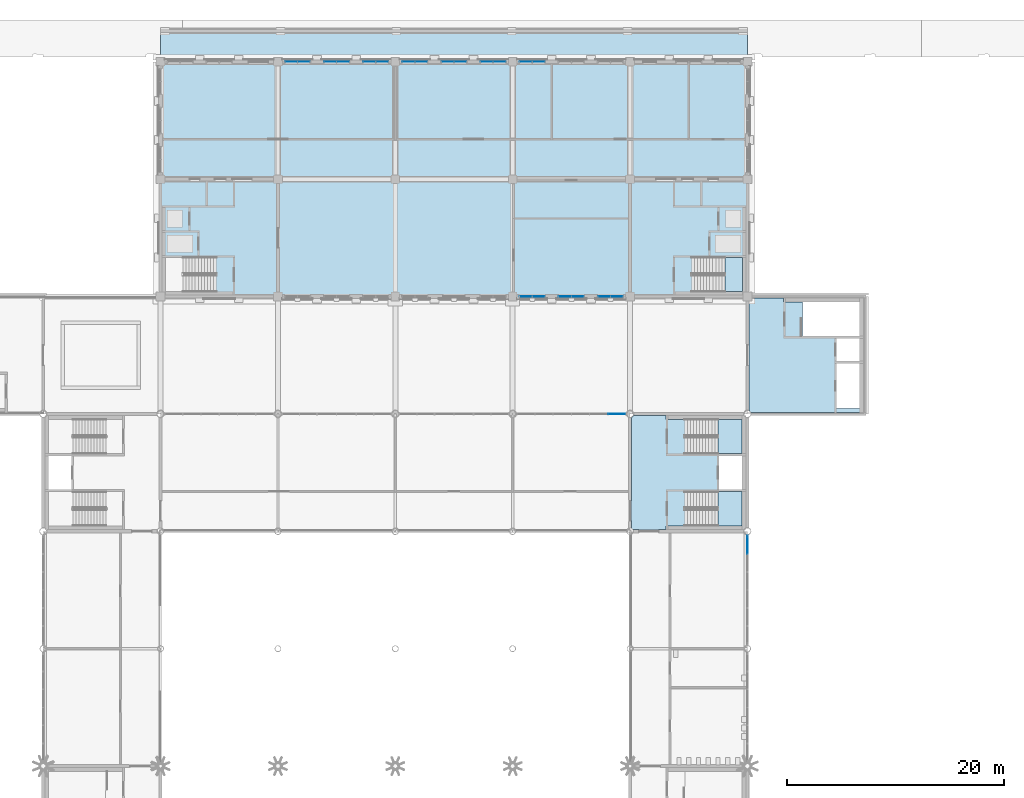
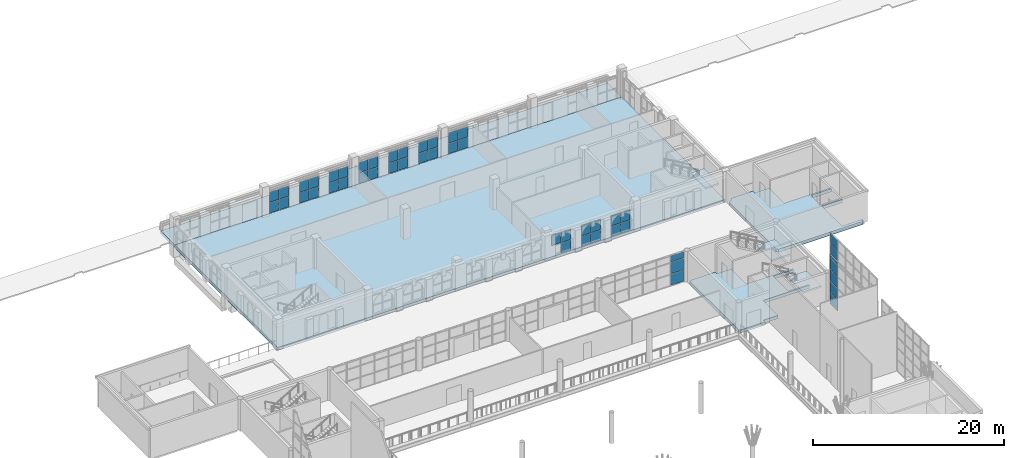
# One storey, part 52 of 95: 49 plates, 7 slabs, 16 elements without a shape of their own.
"""IFC4 building model written with IfcOpenShell, lengths in metres."""

from ifc_helpers import new_model, si_unit, direction, frame, origin, origin_2d, place, context, subcontext, project, spatial, polyline, rectangle, outline, extrude, material, layer, layer_set, type_object, element, aggregate, save


model = new_model("IFC4")

# Units and contexts
model_context = context("Model", 3, precision=1e-05, world=origin(), true_north=direction((0.0, 1.0)))
body_context = subcontext(model_context, "Body", "Model", "MODEL_VIEW")
ifc_project = project(units=[si_unit("LENGTHUNIT", "METRE"), si_unit("AREAUNIT", "SQUARE_METRE"), si_unit("VOLUMEUNIT", "CUBIC_METRE"), si_unit("PLANEANGLEUNIT", "RADIAN"), si_unit("MASSUNIT", "GRAM", prefix="KILO")], contexts=[model_context])

# Site, building, storey
site_placement = place(None, origin())
site = spatial("IfcSite", under=ifc_project, at=site_placement, CompositionType="ELEMENT")
building_placement = place(site_placement, origin())
building = spatial("IfcBuilding", under=site, at=building_placement, Name="Magnolia Steps Interchange", CompositionType="ELEMENT")
storey_placement = place(building_placement, frame((0.0, 0.0, 4.800048828125)))
storey = spatial("IfcBuildingStorey", under=building, at=storey_placement, Name="L01", CompositionType="ELEMENT", Elevation=4.800048828125)

# Slabs
ifc_material_1 = material(Name="Concrete C35", Category="concrete")
ifc_layer_1 = layer(ifc_material_1, 0.39990234375)
ifc_layer_set_1 = layer_set([ifc_layer_1], Name="Core floor slab 400")
slab_type_1 = type_object("IfcSlabType", Name="Core floor slab 400", PredefinedType="FLOOR", material=ifc_layer_set_1)
slab_1_placement = place(storey_placement, frame((0.0, 0.0, -0.400146484375)))
element("IfcSlab", 1, at=slab_1_placement, inside=storey, type_object=slab_type_1, Name="L01 core floor HC2", PredefinedType="FLOOR", context=body_context, shape_type="SweptSolid", body=[
    extrude(outline(polyline([(107.45361328125, 74.969482421875), (107.435791015625, 74.993408203125), (107.415771484375, 75.015625), (107.3935546875, 75.035888671875), (107.369384765625, 75.0537109375), (107.35009765625, 75.065185546875), (107.35009765625, 85.306396484375), (107.35546875, 85.30908203125), (107.38330078125, 85.32568359375), (107.409423828125, 85.344970703125), (107.433349609375, 85.36669921875), (107.455078125, 85.390625), (107.474365234375, 85.416748046875), (107.490966796875, 85.4443359375), (107.49365234375, 85.449951171875), (110.5, 85.449951171875), (110.5, 85.10009765625), (112.25, 85.10009765625), (112.25, 81.949951171875), (117.85009765625, 81.949951171875), (117.85009765625, 81.75), (115.39990234375, 81.75), (115.39990234375, 78.64990234375), (117.85009765625, 78.64990234375), (117.85009765625, 78.449951171875), (112.25, 78.449951171875), (112.25, 75.300048828125), (110.5, 75.300048828125), (110.5, 74.949951171875), (107.46533203125, 74.949951171875), (107.45361328125, 74.969482421875)])), origin(), (0.0, 0.0, 1.0), 0.400146484375),
])
slab_2_placement = place(storey_placement, frame((0.0, 0.0, -0.400146484375)))
element("IfcSlab", 2, at=slab_2_placement, inside=storey, type_object=slab_type_1, Name="L01 core floor WC-E", PredefinedType="FLOOR", context=body_context, shape_type="SweptSolid", body=[
    extrude(outline(polyline([(118.304931640625, 85.726318359375), (118.291015625, 85.755615234375), (118.2744140625, 85.783447265625), (118.255126953125, 85.809326171875), (118.2333984375, 85.833251953125), (118.209228515625, 85.85498046875), (118.183349609375, 85.874267578125), (118.155517578125, 85.89111328125), (118.126220703125, 85.90478515625), (118.125, 85.9052734375), (118.125, 95.76220703125), (118.126708984375, 95.762451171875), (118.188720703125, 95.778076171875), (118.248779296875, 95.799560546875), (118.306396484375, 95.826904296875), (118.361083984375, 95.859619140625), (118.412353515625, 95.8974609375), (118.459716796875, 95.9404296875), (118.50244140625, 95.987548828125), (118.54052734375, 96.038818359375), (118.5732421875, 96.093505859375), (118.6005859375, 96.1513671875), (118.6220703125, 96.211181640625), (118.637451171875, 96.273193359375), (118.6376953125, 96.27490234375), (121.300048828125, 96.27490234375), (121.300048828125, 95.89990234375), (123.050048828125, 95.89990234375), (123.050048828125, 92.75), (128.675048828125, 92.75), (128.675048828125, 92.550048828125), (126.199951171875, 92.550048828125), (126.199951171875, 90.449951171875), (128.675048828125, 90.449951171875), (128.675048828125, 90.25), (126.199951171875, 90.25), (126.199951171875, 86.10009765625), (128.675048828125, 86.10009765625), (128.675048828125, 85.89990234375), (128.5, 85.89990234375), (128.5, 85.72509765625), (118.305419921875, 85.72509765625), (118.304931640625, 85.726318359375)])), origin(), (0.0, 0.0, 1.0), 0.400146484375),
])

# Stair, slab
ifc_material_2 = material(Name="Concrete C40", Category="concrete")
stair_type = type_object("IfcStairType", Name="Exit stair 1500", PredefinedType="HALF_TURN_STAIR", material=ifc_material_2)
stair_1_placement = place(storey_placement, origin())
stair_1 = element("IfcStair", 3, at=stair_1_placement, inside=storey, type_object=stair_type, Name="L01 Stair 3", PredefinedType="HALF_TURN_STAIR")
ifc_material_3 = material(Name="Concrete C40", Category="concrete")
ifc_layer_2 = layer(ifc_material_3, 0.199951171875)
ifc_layer_set_2 = layer_set([ifc_layer_2], Name="Exit stair landing 200")
slab_type_2 = type_object("IfcSlabType", Name="Exit stair landing 200", PredefinedType="LANDING", material=ifc_layer_set_2)
slab_3_placement = place(storey_placement, frame((0.0, 0.0, 1.75)))
slab_3 = element("IfcSlab", 4, at=slab_3_placement, type_object=slab_type_2, Name="Stair 3 landing 1", PredefinedType="LANDING", context=body_context, shape_type="SweptSolid", body=[
    extrude(outline(polyline([(115.280029296875, 81.949951171875), (117.5, 81.949951171875), (117.5, 85.10009765625), (115.280029296875, 85.10009765625), (115.280029296875, 81.949951171875)])), origin(), (0.0, 0.0, 1.0), 0.199951171875),
])
aggregate(stair_1, [slab_3])

stair_2_placement = place(storey_placement, origin())
stair_2 = element("IfcStair", 5, at=stair_2_placement, inside=storey, type_object=stair_type, Name="L01 Stair 4", PredefinedType="HALF_TURN_STAIR")
slab_4_placement = place(storey_placement, frame((0.0, 0.0, 1.75)))
slab_4 = element("IfcSlab", 6, at=slab_4_placement, type_object=slab_type_2, Name="Stair 4 landing 1", PredefinedType="LANDING", context=body_context, shape_type="SweptSolid", body=[
    extrude(outline(polyline([(115.280029296875, 75.300048828125), (117.5, 75.300048828125), (117.5, 78.449951171875), (115.280029296875, 78.449951171875), (115.280029296875, 75.300048828125)])), origin(), (0.0, 0.0, 1.0), 0.199951171875),
])
aggregate(stair_2, [slab_4])

stair_3_placement = place(storey_placement, origin())
stair_3 = element("IfcStair", 7, at=stair_3_placement, inside=storey, type_object=stair_type, Name="L01 Stair 29", PredefinedType="HALF_TURN_STAIR")
slab_5_placement = place(storey_placement, frame((0.0, 0.0, 1.75)))
slab_5 = element("IfcSlab", 8, at=slab_5_placement, type_object=slab_type_2, Name="Stair 29 landing 1", PredefinedType="LANDING", context=body_context, shape_type="SweptSolid", body=[
    extrude(outline(polyline([(115.929931640625, 96.85009765625), (117.550048828125, 96.85009765625), (117.550048828125, 100.0), (115.929931640625, 100.0), (115.929931640625, 96.85009765625)])), origin(), (0.0, 0.0, 1.0), 0.199951171875),
])
aggregate(stair_3, [slab_5])

# Slab
ifc_material_4 = material(Name="Concrete C40", Category="concrete")
ifc_layer_3 = layer(ifc_material_4, 0.39990234375)
ifc_layer_set_3 = layer_set([ifc_layer_3], Name="Floor slab 400")
slab_type_3 = type_object("IfcSlabType", Name="Floor slab 400", PredefinedType="FLOOR", material=ifc_layer_set_3)
slab_6_placement = place(storey_placement, frame((0.0, 0.0, -0.400146484375)))
element("IfcSlab", 9, at=slab_6_placement, inside=storey, type_object=slab_type_3, Name="Operations ground floor", PredefinedType="FLOOR", context=body_context, shape_type="SweptSolid", body=[
    extrude(outline(polyline([(118.0, 96.39990234375), (118.0, 118.0), (64.0, 118.0), (64.0, 96.39990234375), (118.0, 96.39990234375)])), origin(), (0.0, 0.0, 1.0), 0.400146484375),
])

# Curtain wall, plates
ifc_material_5 = material(Name="Powder-coated aluminium and glass", Category="aluminium")
ifc_layer_4 = layer(ifc_material_5, 0.179931640625)
ifc_layer_set_4 = layer_set([ifc_layer_4], Name="Lobby shopfront curtain wall")
curtain_wall_type_1 = type_object("IfcCurtainWallType", Name="Lobby shopfront curtain wall", PredefinedType="NOTDEFINED", material=ifc_layer_set_4)
curtain_wall_1_placement = place(storey_placement, origin())
curtain_wall_1 = element("IfcCurtainWall", 10, at=curtain_wall_1_placement, inside=storey, type_object=curtain_wall_type_1, Name="Operations lobby south glazing 12", PredefinedType="NOTDEFINED")
ifc_material_6 = material(Name="Laminated glass", Category="glass")
ifc_layer_5 = layer(ifc_material_6, 0.028076171875)
ifc_layer_set_5 = layer_set([ifc_layer_5], Name="Glass panel 28")
plate_type = type_object("IfcPlateType", Name="Glass panel 28", PredefinedType="CURTAIN_PANEL", material=ifc_layer_set_5)
plate_1_placement = place(storey_placement, frame((97.614990234375, 96.39990234375, 1.429931640625), z_axis=(0.0, 0.0, 1.0), x_axis=(1.0, 0.0, 0.0)))
plate_1 = element("IfcPlate", 11, at=plate_1_placement, type_object=plate_type, Name="CW5 panel 1.2", PredefinedType="CURTAIN_PANEL", context=body_context, shape_type="SweptSolid", body=[
    extrude(rectangle(XDim=1.110107421875, YDim=0.028076171875, at=origin_2d()), origin(), (0.0, 0.0, 1.0), 1.31005859375),
])
plate_2_placement = place(storey_placement, frame((98.784912109375, 96.39990234375, 0.059814453125), z_axis=(0.0, 0.0, 1.0), x_axis=(1.0, 0.0, 0.0)))
plate_2 = element("IfcPlate", 12, at=plate_2_placement, type_object=plate_type, Name="CW5 panel 2.1", PredefinedType="CURTAIN_PANEL", context=body_context, shape_type="SweptSolid", body=[
    extrude(rectangle(XDim=1.110107421875, YDim=0.028076171875, at=origin_2d()), origin(), (0.0, 0.0, 1.0), 1.31005859375),
])
plate_3_placement = place(storey_placement, frame((98.784912109375, 96.39990234375, 1.429931640625), z_axis=(0.0, 0.0, 1.0), x_axis=(1.0, 0.0, 0.0)))
plate_3 = element("IfcPlate", 13, at=plate_3_placement, type_object=plate_type, Name="CW5 panel 2.2", PredefinedType="CURTAIN_PANEL", context=body_context, shape_type="SweptSolid", body=[
    extrude(rectangle(XDim=1.110107421875, YDim=0.028076171875, at=origin_2d()), origin(), (0.0, 0.0, 1.0), 1.31005859375),
])
aggregate(curtain_wall_1, [plate_1, plate_2, plate_3])

curtain_wall_2_placement = place(storey_placement, origin())
curtain_wall_2 = element("IfcCurtainWall", 14, at=curtain_wall_2_placement, inside=storey, type_object=curtain_wall_type_1, Name="Operations lobby south glazing 14", PredefinedType="NOTDEFINED")
plate_4_placement = place(storey_placement, frame((101.215087890625, 96.39990234375, 0.059814453125), z_axis=(0.0, 0.0, 1.0), x_axis=(1.0, 0.0, 0.0)))
plate_4 = element("IfcPlate", 15, at=plate_4_placement, type_object=plate_type, Name="CW5 panel 1.1", PredefinedType="CURTAIN_PANEL", context=body_context, shape_type="SweptSolid", body=[
    extrude(rectangle(XDim=1.110107421875, YDim=0.028076171875, at=origin_2d()), origin(), (0.0, 0.0, 1.0), 1.31005859375),
])
plate_5_placement = place(storey_placement, frame((101.215087890625, 96.39990234375, 1.429931640625), z_axis=(0.0, 0.0, 1.0), x_axis=(1.0, 0.0, 0.0)))
plate_5 = element("IfcPlate", 16, at=plate_5_placement, type_object=plate_type, Name="CW5 panel 1.2", PredefinedType="CURTAIN_PANEL", context=body_context, shape_type="SweptSolid", body=[
    extrude(rectangle(XDim=1.110107421875, YDim=0.028076171875, at=origin_2d()), origin(), (0.0, 0.0, 1.0), 1.31005859375),
])
plate_6_placement = place(storey_placement, frame((102.385009765625, 96.39990234375, 0.059814453125), z_axis=(0.0, 0.0, 1.0), x_axis=(1.0, 0.0, 0.0)))
plate_6 = element("IfcPlate", 17, at=plate_6_placement, type_object=plate_type, Name="CW5 panel 2.1", PredefinedType="CURTAIN_PANEL", context=body_context, shape_type="SweptSolid", body=[
    extrude(rectangle(XDim=1.110107421875, YDim=0.028076171875, at=origin_2d()), origin(), (0.0, 0.0, 1.0), 1.31005859375),
])
plate_7_placement = place(storey_placement, frame((102.385009765625, 96.39990234375, 1.429931640625), z_axis=(0.0, 0.0, 1.0), x_axis=(1.0, 0.0, 0.0)))
plate_7 = element("IfcPlate", 18, at=plate_7_placement, type_object=plate_type, Name="CW5 panel 2.2", PredefinedType="CURTAIN_PANEL", context=body_context, shape_type="SweptSolid", body=[
    extrude(rectangle(XDim=1.110107421875, YDim=0.028076171875, at=origin_2d()), origin(), (0.0, 0.0, 1.0), 1.31005859375),
])
aggregate(curtain_wall_2, [plate_4, plate_5, plate_6, plate_7])

curtain_wall_3_placement = place(storey_placement, origin())
curtain_wall_3 = element("IfcCurtainWall", 19, at=curtain_wall_3_placement, inside=storey, type_object=curtain_wall_type_1, Name="Operations lobby south glazing 16", PredefinedType="NOTDEFINED")
plate_8_placement = place(storey_placement, frame((104.81494140625, 96.39990234375, 0.059814453125), z_axis=(0.0, 0.0, 1.0), x_axis=(1.0, 0.0, 0.0)))
plate_8 = element("IfcPlate", 20, at=plate_8_placement, type_object=plate_type, Name="CW5 panel 1.1", PredefinedType="CURTAIN_PANEL", context=body_context, shape_type="SweptSolid", body=[
    extrude(rectangle(XDim=1.110107421875, YDim=0.028076171875, at=origin_2d()), origin(), (0.0, 0.0, 1.0), 1.31005859375),
])
plate_9_placement = place(storey_placement, frame((104.81494140625, 96.39990234375, 1.429931640625), z_axis=(0.0, 0.0, 1.0), x_axis=(1.0, 0.0, 0.0)))
plate_9 = element("IfcPlate", 21, at=plate_9_placement, type_object=plate_type, Name="CW5 panel 1.2", PredefinedType="CURTAIN_PANEL", context=body_context, shape_type="SweptSolid", body=[
    extrude(rectangle(XDim=1.110107421875, YDim=0.028076171875, at=origin_2d()), origin(), (0.0, 0.0, 1.0), 1.31005859375),
])
plate_10_placement = place(storey_placement, frame((105.985107421875, 96.39990234375, 0.059814453125), z_axis=(0.0, 0.0, 1.0), x_axis=(1.0, 0.0, 0.0)))
plate_10 = element("IfcPlate", 22, at=plate_10_placement, type_object=plate_type, Name="CW5 panel 2.1", PredefinedType="CURTAIN_PANEL", context=body_context, shape_type="SweptSolid", body=[
    extrude(rectangle(XDim=1.110107421875, YDim=0.028076171875, at=origin_2d()), origin(), (0.0, 0.0, 1.0), 1.31005859375),
])
plate_11_placement = place(storey_placement, frame((105.985107421875, 96.39990234375, 1.429931640625), z_axis=(0.0, 0.0, 1.0), x_axis=(1.0, 0.0, 0.0)))
plate_11 = element("IfcPlate", 23, at=plate_11_placement, type_object=plate_type, Name="CW5 panel 2.2", PredefinedType="CURTAIN_PANEL", context=body_context, shape_type="SweptSolid", body=[
    extrude(rectangle(XDim=1.110107421875, YDim=0.028076171875, at=origin_2d()), origin(), (0.0, 0.0, 1.0), 1.31005859375),
])
aggregate(curtain_wall_3, [plate_8, plate_9, plate_10, plate_11])

curtain_wall_4_placement = place(storey_placement, origin())
curtain_wall_4 = element("IfcCurtainWall", 24, at=curtain_wall_4_placement, inside=storey, type_object=curtain_wall_type_1, Name="Operations lobby north glazing 6", PredefinedType="NOTDEFINED")
plate_12_placement = place(storey_placement, frame((76.014892578125, 118.0, 0.059814453125), z_axis=(0.0, 0.0, 1.0), x_axis=(1.0, 0.0, 0.0)))
plate_12 = element("IfcPlate", 25, at=plate_12_placement, type_object=plate_type, Name="CW5 panel 1.1", PredefinedType="CURTAIN_PANEL", context=body_context, shape_type="SweptSolid", body=[
    extrude(rectangle(XDim=1.110107421875, YDim=0.028076171875, at=origin_2d()), origin(), (0.0, 0.0, 1.0), 1.31005859375),
])
plate_13_placement = place(storey_placement, frame((76.014892578125, 118.0, 1.429931640625), z_axis=(0.0, 0.0, 1.0), x_axis=(1.0, 0.0, 0.0)))
plate_13 = element("IfcPlate", 26, at=plate_13_placement, type_object=plate_type, Name="CW5 panel 1.2", PredefinedType="CURTAIN_PANEL", context=body_context, shape_type="SweptSolid", body=[
    extrude(rectangle(XDim=1.110107421875, YDim=0.028076171875, at=origin_2d()), origin(), (0.0, 0.0, 1.0), 1.31005859375),
])
plate_14_placement = place(storey_placement, frame((77.18505859375, 118.0, 0.059814453125), z_axis=(0.0, 0.0, 1.0), x_axis=(1.0, 0.0, 0.0)))
plate_14 = element("IfcPlate", 27, at=plate_14_placement, type_object=plate_type, Name="CW5 panel 2.1", PredefinedType="CURTAIN_PANEL", context=body_context, shape_type="SweptSolid", body=[
    extrude(rectangle(XDim=1.110107421875, YDim=0.028076171875, at=origin_2d()), origin(), (0.0, 0.0, 1.0), 1.31005859375),
])
plate_15_placement = place(storey_placement, frame((77.18505859375, 118.0, 1.429931640625), z_axis=(0.0, 0.0, 1.0), x_axis=(1.0, 0.0, 0.0)))
plate_15 = element("IfcPlate", 28, at=plate_15_placement, type_object=plate_type, Name="CW5 panel 2.2", PredefinedType="CURTAIN_PANEL", context=body_context, shape_type="SweptSolid", body=[
    extrude(rectangle(XDim=1.110107421875, YDim=0.028076171875, at=origin_2d()), origin(), (0.0, 0.0, 1.0), 1.31005859375),
])
aggregate(curtain_wall_4, [plate_12, plate_13, plate_14, plate_15])

curtain_wall_5_placement = place(storey_placement, origin())
curtain_wall_5 = element("IfcCurtainWall", 29, at=curtain_wall_5_placement, inside=storey, type_object=curtain_wall_type_1, Name="Operations lobby north glazing 8", PredefinedType="NOTDEFINED")
plate_16_placement = place(storey_placement, frame((79.614990234375, 118.0, 0.059814453125), z_axis=(0.0, 0.0, 1.0), x_axis=(1.0, 0.0, 0.0)))
plate_16 = element("IfcPlate", 30, at=plate_16_placement, type_object=plate_type, Name="CW5 panel 1.1", PredefinedType="CURTAIN_PANEL", context=body_context, shape_type="SweptSolid", body=[
    extrude(rectangle(XDim=1.110107421875, YDim=0.028076171875, at=origin_2d()), origin(), (0.0, 0.0, 1.0), 1.31005859375),
])
plate_17_placement = place(storey_placement, frame((79.614990234375, 118.0, 1.429931640625), z_axis=(0.0, 0.0, 1.0), x_axis=(1.0, 0.0, 0.0)))
plate_17 = element("IfcPlate", 31, at=plate_17_placement, type_object=plate_type, Name="CW5 panel 1.2", PredefinedType="CURTAIN_PANEL", context=body_context, shape_type="SweptSolid", body=[
    extrude(rectangle(XDim=1.110107421875, YDim=0.028076171875, at=origin_2d()), origin(), (0.0, 0.0, 1.0), 1.31005859375),
])
plate_18_placement = place(storey_placement, frame((80.784912109375, 118.0, 0.059814453125), z_axis=(0.0, 0.0, 1.0), x_axis=(1.0, 0.0, 0.0)))
plate_18 = element("IfcPlate", 32, at=plate_18_placement, type_object=plate_type, Name="CW5 panel 2.1", PredefinedType="CURTAIN_PANEL", context=body_context, shape_type="SweptSolid", body=[
    extrude(rectangle(XDim=1.110107421875, YDim=0.028076171875, at=origin_2d()), origin(), (0.0, 0.0, 1.0), 1.31005859375),
])
plate_19_placement = place(storey_placement, frame((80.784912109375, 118.0, 1.429931640625), z_axis=(0.0, 0.0, 1.0), x_axis=(1.0, 0.0, 0.0)))
plate_19 = element("IfcPlate", 33, at=plate_19_placement, type_object=plate_type, Name="CW5 panel 2.2", PredefinedType="CURTAIN_PANEL", context=body_context, shape_type="SweptSolid", body=[
    extrude(rectangle(XDim=1.110107421875, YDim=0.028076171875, at=origin_2d()), origin(), (0.0, 0.0, 1.0), 1.31005859375),
])
aggregate(curtain_wall_5, [plate_16, plate_17, plate_18, plate_19])

curtain_wall_6_placement = place(storey_placement, origin())
curtain_wall_6 = element("IfcCurtainWall", 34, at=curtain_wall_6_placement, inside=storey, type_object=curtain_wall_type_1, Name="Operations lobby north glazing 10", PredefinedType="NOTDEFINED")
plate_20_placement = place(storey_placement, frame((83.215087890625, 118.0, 0.059814453125), z_axis=(0.0, 0.0, 1.0), x_axis=(1.0, 0.0, 0.0)))
plate_20 = element("IfcPlate", 35, at=plate_20_placement, type_object=plate_type, Name="CW5 panel 1.1", PredefinedType="CURTAIN_PANEL", context=body_context, shape_type="SweptSolid", body=[
    extrude(rectangle(XDim=1.110107421875, YDim=0.028076171875, at=origin_2d()), origin(), (0.0, 0.0, 1.0), 1.31005859375),
])
plate_21_placement = place(storey_placement, frame((83.215087890625, 118.0, 1.429931640625), z_axis=(0.0, 0.0, 1.0), x_axis=(1.0, 0.0, 0.0)))
plate_21 = element("IfcPlate", 36, at=plate_21_placement, type_object=plate_type, Name="CW5 panel 1.2", PredefinedType="CURTAIN_PANEL", context=body_context, shape_type="SweptSolid", body=[
    extrude(rectangle(XDim=1.110107421875, YDim=0.028076171875, at=origin_2d()), origin(), (0.0, 0.0, 1.0), 1.31005859375),
])
plate_22_placement = place(storey_placement, frame((84.385009765625, 118.0, 0.059814453125), z_axis=(0.0, 0.0, 1.0), x_axis=(1.0, 0.0, 0.0)))
plate_22 = element("IfcPlate", 37, at=plate_22_placement, type_object=plate_type, Name="CW5 panel 2.1", PredefinedType="CURTAIN_PANEL", context=body_context, shape_type="SweptSolid", body=[
    extrude(rectangle(XDim=1.110107421875, YDim=0.028076171875, at=origin_2d()), origin(), (0.0, 0.0, 1.0), 1.31005859375),
])
plate_23_placement = place(storey_placement, frame((84.385009765625, 118.0, 1.429931640625), z_axis=(0.0, 0.0, 1.0), x_axis=(1.0, 0.0, 0.0)))
plate_23 = element("IfcPlate", 38, at=plate_23_placement, type_object=plate_type, Name="CW5 panel 2.2", PredefinedType="CURTAIN_PANEL", context=body_context, shape_type="SweptSolid", body=[
    extrude(rectangle(XDim=1.110107421875, YDim=0.028076171875, at=origin_2d()), origin(), (0.0, 0.0, 1.0), 1.31005859375),
])
aggregate(curtain_wall_6, [plate_20, plate_21, plate_22, plate_23])

curtain_wall_7_placement = place(storey_placement, origin())
curtain_wall_7 = element("IfcCurtainWall", 39, at=curtain_wall_7_placement, inside=storey, type_object=curtain_wall_type_1, Name="Operations lobby north glazing 12", PredefinedType="NOTDEFINED")
plate_24_placement = place(storey_placement, frame((86.81494140625, 118.0, 0.059814453125), z_axis=(0.0, 0.0, 1.0), x_axis=(1.0, 0.0, 0.0)))
plate_24 = element("IfcPlate", 40, at=plate_24_placement, type_object=plate_type, Name="CW5 panel 1.1", PredefinedType="CURTAIN_PANEL", context=body_context, shape_type="SweptSolid", body=[
    extrude(rectangle(XDim=1.110107421875, YDim=0.028076171875, at=origin_2d()), origin(), (0.0, 0.0, 1.0), 1.31005859375),
])
plate_25_placement = place(storey_placement, frame((86.81494140625, 118.0, 1.429931640625), z_axis=(0.0, 0.0, 1.0), x_axis=(1.0, 0.0, 0.0)))
plate_25 = element("IfcPlate", 41, at=plate_25_placement, type_object=plate_type, Name="CW5 panel 1.2", PredefinedType="CURTAIN_PANEL", context=body_context, shape_type="SweptSolid", body=[
    extrude(rectangle(XDim=1.110107421875, YDim=0.028076171875, at=origin_2d()), origin(), (0.0, 0.0, 1.0), 1.31005859375),
])
plate_26_placement = place(storey_placement, frame((87.985107421875, 118.0, 0.059814453125), z_axis=(0.0, 0.0, 1.0), x_axis=(1.0, 0.0, 0.0)))
plate_26 = element("IfcPlate", 42, at=plate_26_placement, type_object=plate_type, Name="CW5 panel 2.1", PredefinedType="CURTAIN_PANEL", context=body_context, shape_type="SweptSolid", body=[
    extrude(rectangle(XDim=1.110107421875, YDim=0.028076171875, at=origin_2d()), origin(), (0.0, 0.0, 1.0), 1.31005859375),
])
plate_27_placement = place(storey_placement, frame((87.985107421875, 118.0, 1.429931640625), z_axis=(0.0, 0.0, 1.0), x_axis=(1.0, 0.0, 0.0)))
plate_27 = element("IfcPlate", 43, at=plate_27_placement, type_object=plate_type, Name="CW5 panel 2.2", PredefinedType="CURTAIN_PANEL", context=body_context, shape_type="SweptSolid", body=[
    extrude(rectangle(XDim=1.110107421875, YDim=0.028076171875, at=origin_2d()), origin(), (0.0, 0.0, 1.0), 1.31005859375),
])
aggregate(curtain_wall_7, [plate_24, plate_25, plate_26, plate_27])

curtain_wall_8_placement = place(storey_placement, origin())
curtain_wall_8 = element("IfcCurtainWall", 44, at=curtain_wall_8_placement, inside=storey, type_object=curtain_wall_type_1, Name="Operations lobby north glazing 14", PredefinedType="NOTDEFINED")
plate_28_placement = place(storey_placement, frame((90.4150390625, 118.0, 0.059814453125), z_axis=(0.0, 0.0, 1.0), x_axis=(1.0, 0.0, 0.0)))
plate_28 = element("IfcPlate", 45, at=plate_28_placement, type_object=plate_type, Name="CW5 panel 1.1", PredefinedType="CURTAIN_PANEL", context=body_context, shape_type="SweptSolid", body=[
    extrude(rectangle(XDim=1.110107421875, YDim=0.028076171875, at=origin_2d()), origin(), (0.0, 0.0, 1.0), 1.31005859375),
])
plate_29_placement = place(storey_placement, frame((90.4150390625, 118.0, 1.429931640625), z_axis=(0.0, 0.0, 1.0), x_axis=(1.0, 0.0, 0.0)))
plate_29 = element("IfcPlate", 46, at=plate_29_placement, type_object=plate_type, Name="CW5 panel 1.2", PredefinedType="CURTAIN_PANEL", context=body_context, shape_type="SweptSolid", body=[
    extrude(rectangle(XDim=1.110107421875, YDim=0.028076171875, at=origin_2d()), origin(), (0.0, 0.0, 1.0), 1.31005859375),
])
plate_30_placement = place(storey_placement, frame((91.5849609375, 118.0, 0.059814453125), z_axis=(0.0, 0.0, 1.0), x_axis=(1.0, 0.0, 0.0)))
plate_30 = element("IfcPlate", 47, at=plate_30_placement, type_object=plate_type, Name="CW5 panel 2.1", PredefinedType="CURTAIN_PANEL", context=body_context, shape_type="SweptSolid", body=[
    extrude(rectangle(XDim=1.110107421875, YDim=0.028076171875, at=origin_2d()), origin(), (0.0, 0.0, 1.0), 1.31005859375),
])
plate_31_placement = place(storey_placement, frame((91.5849609375, 118.0, 1.429931640625), z_axis=(0.0, 0.0, 1.0), x_axis=(1.0, 0.0, 0.0)))
plate_31 = element("IfcPlate", 48, at=plate_31_placement, type_object=plate_type, Name="CW5 panel 2.2", PredefinedType="CURTAIN_PANEL", context=body_context, shape_type="SweptSolid", body=[
    extrude(rectangle(XDim=1.110107421875, YDim=0.028076171875, at=origin_2d()), origin(), (0.0, 0.0, 1.0), 1.31005859375),
])
aggregate(curtain_wall_8, [plate_28, plate_29, plate_30, plate_31])

curtain_wall_9_placement = place(storey_placement, origin())
curtain_wall_9 = element("IfcCurtainWall", 49, at=curtain_wall_9_placement, inside=storey, type_object=curtain_wall_type_1, Name="Operations lobby north glazing 16", PredefinedType="NOTDEFINED")
plate_32_placement = place(storey_placement, frame((94.014892578125, 118.0, 0.059814453125), z_axis=(0.0, 0.0, 1.0), x_axis=(1.0, 0.0, 0.0)))
plate_32 = element("IfcPlate", 50, at=plate_32_placement, type_object=plate_type, Name="CW5 panel 1.1", PredefinedType="CURTAIN_PANEL", context=body_context, shape_type="SweptSolid", body=[
    extrude(rectangle(XDim=1.110107421875, YDim=0.028076171875, at=origin_2d()), origin(), (0.0, 0.0, 1.0), 1.31005859375),
])
plate_33_placement = place(storey_placement, frame((94.014892578125, 118.0, 1.429931640625), z_axis=(0.0, 0.0, 1.0), x_axis=(1.0, 0.0, 0.0)))
plate_33 = element("IfcPlate", 51, at=plate_33_placement, type_object=plate_type, Name="CW5 panel 1.2", PredefinedType="CURTAIN_PANEL", context=body_context, shape_type="SweptSolid", body=[
    extrude(rectangle(XDim=1.110107421875, YDim=0.028076171875, at=origin_2d()), origin(), (0.0, 0.0, 1.0), 1.31005859375),
])
plate_34_placement = place(storey_placement, frame((95.18505859375, 118.0, 0.059814453125), z_axis=(0.0, 0.0, 1.0), x_axis=(1.0, 0.0, 0.0)))
plate_34 = element("IfcPlate", 52, at=plate_34_placement, type_object=plate_type, Name="CW5 panel 2.1", PredefinedType="CURTAIN_PANEL", context=body_context, shape_type="SweptSolid", body=[
    extrude(rectangle(XDim=1.110107421875, YDim=0.028076171875, at=origin_2d()), origin(), (0.0, 0.0, 1.0), 1.31005859375),
])
plate_35_placement = place(storey_placement, frame((95.18505859375, 118.0, 1.429931640625), z_axis=(0.0, 0.0, 1.0), x_axis=(1.0, 0.0, 0.0)))
plate_35 = element("IfcPlate", 53, at=plate_35_placement, type_object=plate_type, Name="CW5 panel 2.2", PredefinedType="CURTAIN_PANEL", context=body_context, shape_type="SweptSolid", body=[
    extrude(rectangle(XDim=1.110107421875, YDim=0.028076171875, at=origin_2d()), origin(), (0.0, 0.0, 1.0), 1.31005859375),
])
aggregate(curtain_wall_9, [plate_32, plate_33, plate_34, plate_35])

curtain_wall_10_placement = place(storey_placement, origin())
curtain_wall_10 = element("IfcCurtainWall", 54, at=curtain_wall_10_placement, inside=storey, type_object=curtain_wall_type_1, Name="Operations lobby north glazing 18", PredefinedType="NOTDEFINED")
plate_36_placement = place(storey_placement, frame((97.614990234375, 118.0, 0.059814453125), z_axis=(0.0, 0.0, 1.0), x_axis=(1.0, 0.0, 0.0)))
plate_36 = element("IfcPlate", 55, at=plate_36_placement, type_object=plate_type, Name="CW5 panel 1.1", PredefinedType="CURTAIN_PANEL", context=body_context, shape_type="SweptSolid", body=[
    extrude(rectangle(XDim=1.110107421875, YDim=0.028076171875, at=origin_2d()), origin(), (0.0, 0.0, 1.0), 1.31005859375),
])
plate_37_placement = place(storey_placement, frame((97.614990234375, 118.0, 1.429931640625), z_axis=(0.0, 0.0, 1.0), x_axis=(1.0, 0.0, 0.0)))
plate_37 = element("IfcPlate", 56, at=plate_37_placement, type_object=plate_type, Name="CW5 panel 1.2", PredefinedType="CURTAIN_PANEL", context=body_context, shape_type="SweptSolid", body=[
    extrude(rectangle(XDim=1.110107421875, YDim=0.028076171875, at=origin_2d()), origin(), (0.0, 0.0, 1.0), 1.31005859375),
])
plate_38_placement = place(storey_placement, frame((98.784912109375, 118.0, 0.059814453125), z_axis=(0.0, 0.0, 1.0), x_axis=(1.0, 0.0, 0.0)))
plate_38 = element("IfcPlate", 57, at=plate_38_placement, type_object=plate_type, Name="CW5 panel 2.1", PredefinedType="CURTAIN_PANEL", context=body_context, shape_type="SweptSolid", body=[
    extrude(rectangle(XDim=1.110107421875, YDim=0.028076171875, at=origin_2d()), origin(), (0.0, 0.0, 1.0), 1.31005859375),
])
plate_39_placement = place(storey_placement, frame((98.784912109375, 118.0, 1.429931640625), z_axis=(0.0, 0.0, 1.0), x_axis=(1.0, 0.0, 0.0)))
plate_39 = element("IfcPlate", 58, at=plate_39_placement, type_object=plate_type, Name="CW5 panel 2.2", PredefinedType="CURTAIN_PANEL", context=body_context, shape_type="SweptSolid", body=[
    extrude(rectangle(XDim=1.110107421875, YDim=0.028076171875, at=origin_2d()), origin(), (0.0, 0.0, 1.0), 1.31005859375),
])
aggregate(curtain_wall_10, [plate_36, plate_37, plate_38, plate_39])

ifc_material_7 = material(Name="Powder-coated aluminium and glass", Category="aluminium")
ifc_layer_6 = layer(ifc_material_7, 0.14990234375)
ifc_layer_set_6 = layer_set([ifc_layer_6], Name="Glazed hall curtain wall")
curtain_wall_type_2 = type_object("IfcCurtainWallType", Name="Glazed hall curtain wall", PredefinedType="NOTDEFINED", material=ifc_layer_set_6)
curtain_wall_11_placement = place(storey_placement, origin())
curtain_wall_11 = element("IfcCurtainWall", 59, at=curtain_wall_11_placement, inside=storey, type_object=curtain_wall_type_2, Name="Hall glazing N5 L01", PredefinedType="NOTDEFINED")
plate_40_placement = place(storey_placement, frame((105.985107421875, 85.60009765625, 0.06005859375), z_axis=(0.0, 0.0, 1.0), x_axis=(1.0, 0.0, 0.0)))
plate_40 = element("IfcPlate", 60, at=plate_40_placement, type_object=plate_type, Name="CW1 panel 6.1", PredefinedType="CURTAIN_PANEL", context=body_context, shape_type="SweptSolid", body=[
    extrude(rectangle(XDim=1.590087890625, YDim=0.028076171875, at=origin_2d()), origin(), (0.0, 0.0, 1.0), 1.409912109375),
])
plate_41_placement = place(storey_placement, frame((105.985107421875, 85.60009765625, 1.530029296875), z_axis=(0.0, 0.0, 1.0), x_axis=(1.0, 0.0, 0.0)))
plate_41 = element("IfcPlate", 61, at=plate_41_placement, type_object=plate_type, Name="CW1 panel 6.2", PredefinedType="CURTAIN_PANEL", context=body_context, shape_type="SweptSolid", body=[
    extrude(rectangle(XDim=1.590087890625, YDim=0.028076171875, at=origin_2d()), origin(), (0.0, 0.0, 1.0), 1.43994140625),
])
plate_42_placement = place(storey_placement, frame((105.985107421875, 85.60009765625, 3.030029296875), z_axis=(0.0, 0.0, 1.0), x_axis=(1.0, 0.0, 0.0)))
plate_42 = element("IfcPlate", 62, at=plate_42_placement, type_object=plate_type, Name="CW1 panel 6.3", PredefinedType="CURTAIN_PANEL", context=body_context, shape_type="SweptSolid", body=[
    extrude(rectangle(XDim=1.590087890625, YDim=0.028076171875, at=origin_2d()), origin(), (0.0, 0.0, 1.0), 0.81005859375),
])
aggregate(curtain_wall_11, [plate_40, plate_41, plate_42])

curtain_wall_12_placement = place(storey_placement, origin())
curtain_wall_12 = element("IfcCurtainWall", 63, at=curtain_wall_12_placement, inside=storey, type_object=curtain_wall_type_2, Name="Hall glazing E3 L01", PredefinedType="NOTDEFINED")
plate_43_placement = place(storey_placement, frame((118.0, 73.5849609375, 0.06005859375), z_axis=(0.0, 0.0, 1.0), x_axis=(0.0, 1.0, 0.0)))
plate_43 = element("IfcPlate", 64, at=plate_43_placement, type_object=plate_type, Name="CW1 panel 6.1", PredefinedType="CURTAIN_PANEL", context=body_context, shape_type="SweptSolid", body=[
    extrude(rectangle(XDim=1.590087890625, YDim=0.028076171875, at=origin_2d()), origin(), (0.0, 0.0, 1.0), 1.409912109375),
])
plate_44_placement = place(storey_placement, frame((118.0, 73.5849609375, 1.530029296875), z_axis=(0.0, 0.0, 1.0), x_axis=(0.0, 1.0, 0.0)))
plate_44 = element("IfcPlate", 65, at=plate_44_placement, type_object=plate_type, Name="CW1 panel 6.2", PredefinedType="CURTAIN_PANEL", context=body_context, shape_type="SweptSolid", body=[
    extrude(rectangle(XDim=1.590087890625, YDim=0.028076171875, at=origin_2d()), origin(), (0.0, 0.0, 1.0), 1.43994140625),
])
plate_45_placement = place(storey_placement, frame((118.0, 73.5849609375, 3.030029296875), z_axis=(0.0, 0.0, 1.0), x_axis=(0.0, 1.0, 0.0)))
plate_45 = element("IfcPlate", 66, at=plate_45_placement, type_object=plate_type, Name="CW1 panel 6.3", PredefinedType="CURTAIN_PANEL", context=body_context, shape_type="SweptSolid", body=[
    extrude(rectangle(XDim=1.590087890625, YDim=0.028076171875, at=origin_2d()), origin(), (0.0, 0.0, 1.0), 1.43994140625),
])
plate_46_placement = place(storey_placement, frame((118.0, 73.5849609375, 4.530029296875), z_axis=(0.0, 0.0, 1.0), x_axis=(0.0, 1.0, 0.0)))
plate_46 = element("IfcPlate", 67, at=plate_46_placement, type_object=plate_type, Name="CW1 panel 6.4", PredefinedType="CURTAIN_PANEL", context=body_context, shape_type="SweptSolid", body=[
    extrude(rectangle(XDim=1.590087890625, YDim=0.028076171875, at=origin_2d()), origin(), (0.0, 0.0, 1.0), 1.43994140625),
])
plate_47_placement = place(storey_placement, frame((118.0, 73.5849609375, 6.030029296875), z_axis=(0.0, 0.0, 1.0), x_axis=(0.0, 1.0, 0.0)))
plate_47 = element("IfcPlate", 68, at=plate_47_placement, type_object=plate_type, Name="CW1 panel 6.5", PredefinedType="CURTAIN_PANEL", context=body_context, shape_type="SweptSolid", body=[
    extrude(rectangle(XDim=1.590087890625, YDim=0.028076171875, at=origin_2d()), origin(), (0.0, 0.0, 1.0), 0.31005859375),
])
aggregate(curtain_wall_12, [plate_43, plate_44, plate_45, plate_46, plate_47])

ifc_material_8 = material(Name="Powder-coated aluminium and glass", Category="aluminium")
ifc_layer_7 = layer(ifc_material_8, 0.1201171875)
ifc_layer_set_7 = layer_set([ifc_layer_7], Name="Hall clerestory curtain wall")
curtain_wall_type_3 = type_object("IfcCurtainWallType", Name="Hall clerestory curtain wall", PredefinedType="NOTDEFINED", material=ifc_layer_set_7)
curtain_wall_13_placement = place(storey_placement, origin())
curtain_wall_13 = element("IfcCurtainWall", 69, at=curtain_wall_13_placement, inside=storey, type_object=curtain_wall_type_3, Name="Hall clerestory E3", PredefinedType="NOTDEFINED")
plate_48_placement = place(storey_placement, frame((118.0, 73.485107421875, 6.4599609375), z_axis=(0.0, 0.0, 1.0), x_axis=(0.0, 1.0, 0.0)))
plate_48 = element("IfcPlate", 70, at=plate_48_placement, type_object=plate_type, Name="CW6 panel 6.1", PredefinedType="CURTAIN_PANEL", context=body_context, shape_type="SweptSolid", body=[
    extrude(rectangle(XDim=1.550048828125, YDim=0.028076171875, at=origin_2d()), origin(), (0.0, 0.0, 1.0), 1.31005859375),
])
plate_49_placement = place(storey_placement, frame((118.0, 73.485107421875, 7.829833984375), z_axis=(0.0, 0.0, 1.0), x_axis=(0.0, 1.0, 0.0)))
plate_49 = element("IfcPlate", 71, at=plate_49_placement, type_object=plate_type, Name="CW6 panel 6.2", PredefinedType="CURTAIN_PANEL", context=body_context, shape_type="SweptSolid", body=[
    extrude(rectangle(XDim=1.550048828125, YDim=0.028076171875, at=origin_2d()), origin(), (0.0, 0.0, 1.0), 1.31005859375),
])
aggregate(curtain_wall_13, [plate_48, plate_49])

# Slab
ifc_material_9 = material(Name="Concrete C40", Category="concrete")
ifc_layer_8 = layer(ifc_material_9, 0.35009765625)
ifc_layer_set_8 = layer_set([ifc_layer_8], Name="North terrace slab 350")
slab_type_4 = type_object("IfcSlabType", Name="North terrace slab 350", PredefinedType="FLOOR", material=ifc_layer_set_8)
slab_7_placement = place(storey_placement, frame((0.0, 0.0, -0.35009765625)))
element("IfcSlab", 72, at=slab_7_placement, inside=storey, type_object=slab_type_4, Name="North terrace slab", PredefinedType="FLOOR", context=body_context, shape_type="SweptSolid", body=[
    extrude(outline(polyline([(64.0, 118.0), (118.0, 118.0), (118.0, 120.949951171875), (64.0, 120.949951171875), (64.0, 118.0)])), origin(), (0.0, 0.0, 1.0), 0.35009765625),
])

save(model, "model.ifc")
